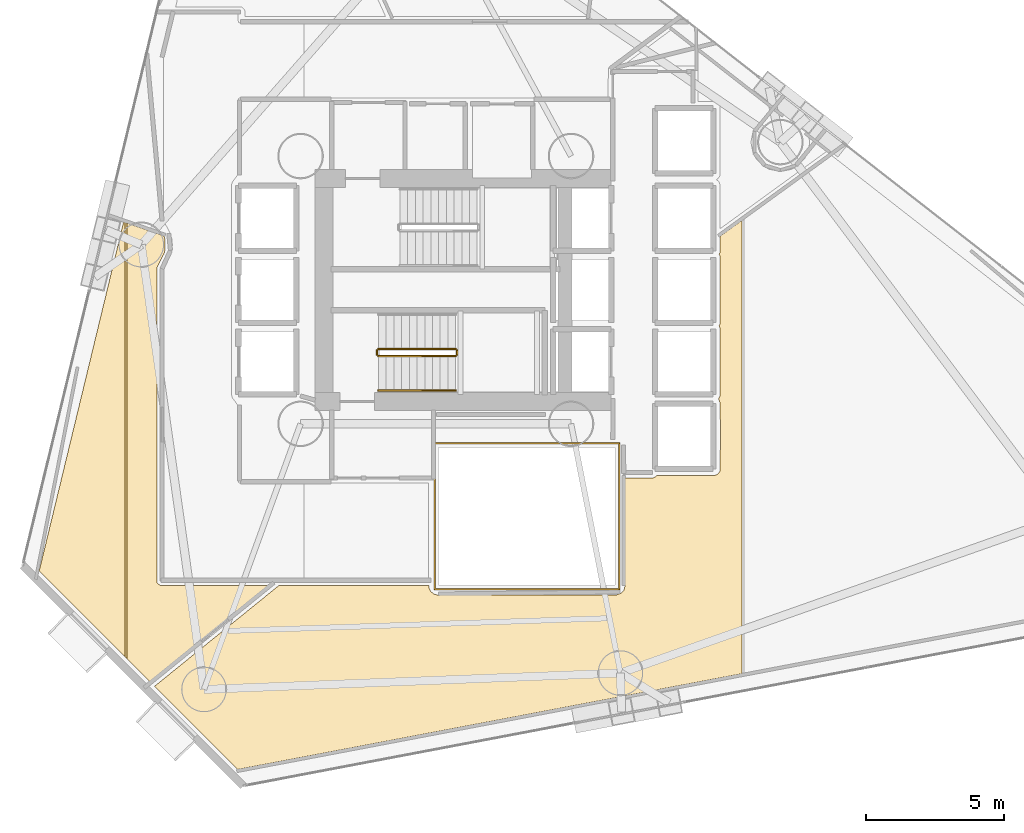
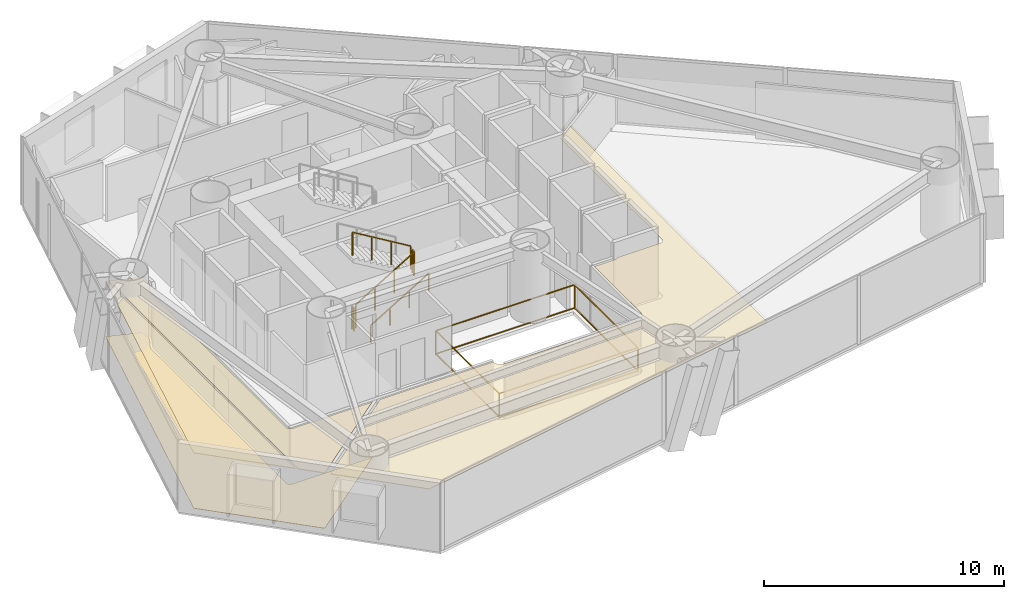
# One storey, part 20 of 23: 6 railings, 4 coverings.
"""IFC4 building model written with IfcOpenShell, lengths in metres."""

from ifc_helpers import new_model, si_unit, direction, frame, origin, origin_2d, place, context, subcontext, project, spatial, polyline, rectangle, outline, extrude, material, layer, layer_set, type_object, element, save


model = new_model("IFC4")

# Units and contexts
model_context = context("Model", 3, precision=1e-05, world=origin(), true_north=direction((0.0, 1.0)))
body_context = subcontext(model_context, "Body", "Model", "MODEL_VIEW")
ifc_project = project(units=[si_unit("LENGTHUNIT", "METRE"), si_unit("AREAUNIT", "SQUARE_METRE"), si_unit("VOLUMEUNIT", "CUBIC_METRE"), si_unit("PLANEANGLEUNIT", "RADIAN"), si_unit("MASSUNIT", "GRAM", prefix="KILO")], contexts=[model_context])

# Site, building, storey
site_placement = place(None, origin())
site = spatial("IfcSite", under=ifc_project, at=site_placement, CompositionType="ELEMENT")
building_placement = place(site_placement, origin())
building = spatial("IfcBuilding", under=site, at=building_placement, Name="Qianvela Tower", CompositionType="ELEMENT")
storey_placement = place(building_placement, frame((0.0, 0.0, 85.800048828125)))
storey = spatial("IfcBuildingStorey", under=building, at=storey_placement, Name="L21", CompositionType="ELEMENT", Elevation=85.800048828125)

# Coverings
ifc_material_1 = material(Name="Perforated Mineral Acoustic Ceiling Tile")
ifc_layer_1 = layer(ifc_material_1, 0.02490234375)
ifc_layer_set_1 = layer_set([ifc_layer_1], Name="Perforated Mineral Acoustic Ceiling Tile")
covering_type_1 = type_object("IfcCoveringType", Name="COV-CEIL-ACOUSTIC-25", PredefinedType="CEILING", material=ifc_layer_set_1)
covering_1_placement = place(storey_placement, frame((0.0, 0.0, 2.81494140625)))
element("IfcCovering", 1, at=covering_1_placement, inside=storey, type_object=covering_type_1, Name="L21 Acoustic Ceiling Bay 1 Collaborative Co-working Office L21-01", PredefinedType="CEILING", context=body_context, shape_type="SweptSolid", body=[
    extrude(outline(polyline([(22.234375, 31.147705078125), (22.234375, 15.40869140625), (19.126953125, 18.514404296875), (22.187255859375, 31.1640625), (22.234375, 31.147705078125)])), origin(), (0.0, 0.0, 1.0), 0.02490234375),
])
covering_2_placement = place(storey_placement, frame((0.0, 0.0, 2.81494140625)))
element("IfcCovering", 2, at=covering_2_placement, inside=storey, type_object=covering_type_1, Name="L21 Acoustic Ceiling Bay 2 Collaborative Co-working Office L21-01", PredefinedType="CEILING", context=body_context, shape_type="SweptSolid", body=[
    extrude(outline(polyline([(23.64990234375, 30.658447265625), (23.695068359375, 30.515869140625), (23.695068359375, 30.163818359375), (23.645751953125, 30.0009765625), (23.398681640625, 29.519287109375), (23.395751953125, 29.51220703125), (23.393310546875, 29.505126953125), (23.391357421875, 29.497802734375), (23.390380859375, 29.490234375), (23.389892578125, 29.482666015625), (23.39599609375, 18.119384765625), (23.396484375, 18.111572265625), (23.397705078125, 18.103759765625), (23.3994140625, 18.09619140625), (23.402099609375, 18.088623046875), (23.405517578125, 18.081787109375), (23.40966796875, 18.074951171875), (23.414306640625, 18.068603515625), (23.41943359375, 18.062744140625), (23.42529296875, 18.0576171875), (23.431640625, 18.052978515625), (23.505615234375, 18.00341796875), (23.51220703125, 17.99951171875), (23.519287109375, 17.99609375), (23.52685546875, 17.993408203125), (23.534423828125, 17.991455078125), (23.542236328125, 17.990478515625), (23.550048828125, 17.989990234375), (27.424560546875, 17.989990234375), (23.132568359375, 14.5107421875), (22.314208984375, 15.32861328125), (22.314208984375, 31.1201171875), (23.64990234375, 30.658447265625)])), origin(), (0.0, 0.0, 1.0), 0.02490234375),
])
covering_3_placement = place(storey_placement, frame((0.0, 0.0, 2.81494140625)))
element("IfcCovering", 3, at=covering_3_placement, inside=storey, type_object=covering_type_1, Name="L21 Acoustic Ceiling Bay 1 Quiet Desk Workspace L21-02", PredefinedType="CEILING", context=body_context, shape_type="SweptSolid", body=[
    extrude(outline(polyline([(23.30615234375, 14.33740234375), (27.81201171875, 17.989990234375), (33.24609375, 17.989990234375), (33.252197265625, 17.912353515625), (33.25341796875, 17.904296875), (33.25537109375, 17.896240234375), (33.258056640625, 17.888427734375), (33.261474609375, 17.881103515625), (33.31298828125, 17.78466796875), (33.31689453125, 17.77783203125), (33.32177734375, 17.771484375), (33.326904296875, 17.765869140625), (33.332763671875, 17.760498046875), (33.417236328125, 17.691162109375), (33.42431640625, 17.68603515625), (33.431884765625, 17.681640625), (33.440185546875, 17.677978515625), (33.448486328125, 17.675537109375), (33.58056640625, 17.642333984375), (33.5869140625, 17.64111328125), (33.593505859375, 17.640380859375), (33.60009765625, 17.639892578125), (40.0, 17.639892578125), (40.009033203125, 17.640380859375), (40.018310546875, 17.64208984375), (40.027099609375, 17.644775390625), (40.20458984375, 17.708251953125), (40.211181640625, 17.7109375), (40.217529296875, 17.71435546875), (40.2236328125, 17.71826171875), (40.2294921875, 17.72265625), (40.234619140625, 17.7275390625), (40.239501953125, 17.73291015625), (40.308837890625, 17.8173828125), (40.31396484375, 17.824462890625), (40.318359375, 17.83203125), (40.322021484375, 17.840087890625), (40.324462890625, 17.8486328125), (40.357666015625, 17.980712890625), (40.35888671875, 17.987060546875), (40.359619140625, 17.993408203125), (40.360107421875, 18.0), (40.360107421875, 21.889892578125), (41.367919921875, 21.890380859375), (41.375732421875, 21.890869140625), (41.383544921875, 21.891845703125), (41.39111328125, 21.893798828125), (41.3984375, 21.896484375), (41.405517578125, 21.89990234375), (41.45947265625, 21.9287109375), (41.46630859375, 21.932861328125), (41.472900390625, 21.9375), (41.478759765625, 21.943115234375), (41.48388671875, 21.948974609375), (41.48876953125, 21.955322265625), (41.492919921875, 21.96240234375), (41.49609375, 21.969482421875), (41.498779296875, 21.97705078125), (41.49951171875, 21.97998046875), (43.59375, 21.980712890625), (43.6015625, 21.981201171875), (43.609375, 21.982177734375), (43.616943359375, 21.984130859375), (43.624267578125, 21.98681640625), (43.699462890625, 22.017822265625), (43.70654296875, 22.021240234375), (43.71337890625, 22.025390625), (43.719482421875, 22.02978515625), (43.725341796875, 22.03515625), (43.730712890625, 22.041015625), (43.7353515625, 22.04736328125), (43.780517578125, 22.114990234375), (43.784423828125, 22.12158203125), (43.78759765625, 22.12841796875), (43.790283203125, 22.135498046875), (43.792236328125, 22.142822265625), (43.79345703125, 22.150390625), (43.7939453125, 22.157958984375), (43.81298828125, 23.321044921875), (43.81298828125, 23.3232421875), (43.800048828125, 24.600830078125), (43.79931640625, 24.609619140625), (43.7978515625, 24.618408203125), (43.79541015625, 24.626953125), (43.763427734375, 24.7158203125), (43.760498046875, 24.722900390625), (43.7568359375, 24.72998046875), (43.75244140625, 24.736572265625), (43.74755859375, 24.742431640625), (43.741943359375, 24.748046875), (43.736083984375, 24.7529296875), (43.771240234375, 24.795654296875), (43.77587890625, 24.802001953125), (43.77978515625, 24.80859375), (43.783203125, 24.815673828125), (43.785888671875, 24.822998046875), (43.787841796875, 24.83056640625), (43.788818359375, 24.83837890625), (43.789306640625, 24.84619140625), (43.800048828125, 27.2998046875), (43.799560546875, 27.3076171875), (43.798583984375, 27.315673828125), (43.79638671875, 27.323486328125), (43.793701171875, 27.3310546875), (43.7646484375, 27.39990234375), (43.793701171875, 27.468994140625), (43.79638671875, 27.476318359375), (43.79833984375, 27.484130859375), (43.799560546875, 27.491943359375), (43.800048828125, 27.5), (43.800048828125, 29.89990234375), (43.799560546875, 29.907958984375), (43.79833984375, 29.915771484375), (43.79638671875, 29.923583984375), (43.793701171875, 29.93115234375), (43.765625, 29.997802734375), (43.79150390625, 30.051513671875), (43.794189453125, 30.05810546875), (43.79638671875, 30.06494140625), (43.798095703125, 30.072021484375), (43.799072265625, 30.0791015625), (43.79931640625, 30.086181640625), (43.800048828125, 30.643798828125), (44.594482421875, 31.220458984375), (44.594482421875, 14.79638671875), (26.319091796875, 11.32568359375), (23.30615234375, 14.33740234375)])), origin(), (0.0, 0.0, 1.0), 0.02490234375),
])
ifc_material_2 = material(Name="Engineered Acoustic Oak Timber Flooring", Category="wood")
ifc_layer_2 = layer(ifc_material_2, 0.02001953125)
ifc_layer_set_2 = layer_set([ifc_layer_2], Name="Engineered Acoustic Oak Timber Flooring")
covering_type_2 = type_object("IfcCoveringType", Name="COV-FLOOR-OAK-20", PredefinedType="FLOORING", material=ifc_layer_set_2)
covering_4_placement = place(storey_placement, origin())
element("IfcCovering", 4, at=covering_4_placement, inside=storey, type_object=covering_type_2, Name="L21 Finish Flooring Collaborative Co-working Office L21-01", PredefinedType="FLOORING", context=body_context, shape_type="SweptSolid", body=[
    extrude(outline(polyline([(22.187255859375, 31.1640625), (23.64990234375, 30.658447265625), (23.695068359375, 30.515869140625), (23.695068359375, 30.163818359375), (23.645751953125, 30.0009765625), (23.398681640625, 29.519287109375), (23.395751953125, 29.51220703125), (23.393310546875, 29.505126953125), (23.391357421875, 29.497802734375), (23.390380859375, 29.490234375), (23.389892578125, 29.482666015625), (23.39599609375, 18.119384765625), (23.396484375, 18.111572265625), (23.397705078125, 18.103759765625), (23.3994140625, 18.09619140625), (23.402099609375, 18.088623046875), (23.405517578125, 18.081787109375), (23.40966796875, 18.074951171875), (23.414306640625, 18.068603515625), (23.41943359375, 18.062744140625), (23.42529296875, 18.0576171875), (23.431640625, 18.052978515625), (23.505615234375, 18.00341796875), (23.51220703125, 17.99951171875), (23.519287109375, 17.99609375), (23.52685546875, 17.993408203125), (23.534423828125, 17.991455078125), (23.542236328125, 17.990478515625), (23.550048828125, 17.989990234375), (27.424560546875, 17.989990234375), (23.132568359375, 14.5107421875), (19.126953125, 18.514404296875), (22.187255859375, 31.1640625)])), origin(), (0.0, 0.0, 1.0), 0.02001953125),
])

# Railings
ifc_material_3 = material(Name="Laminated Safety Glass and Stainless Steel 316", Category="steel")
railing_type_1 = type_object("IfcRailingType", Name="RL-ATRIUM-GUARD-1250", PredefinedType="GUARDRAIL", material=ifc_material_3)
railing_1_placement = place(storey_placement, frame((33.4599609375, 17.860107421875, 0.0)))
element("IfcRailing", 5, at=railing_1_placement, inside=storey, type_object=railing_type_1, Name="L21 Atrium Edge Guardrail 1", PredefinedType="GUARDRAIL", context=body_context, shape_type="SweptSolid", body=[
    extrude(rectangle(XDim=0.050048828125, YDim=0.0400390625, at=origin_2d()), frame((0.0, 0.0, 1.22998046875), z_axis=(0.0, 1.0, 0.0), x_axis=(-1.0, 0.0, 0.0)), (0.0, 0.0, 1.0), 5.27978515625),
    extrude(rectangle(XDim=0.050048828125, YDim=0.0400390625, at=origin_2d()), frame((0.0, 0.0, 0.050048828125), z_axis=(0.0, 1.0, 0.0), x_axis=(-1.0, 0.0, 0.0)), (0.0, 0.0, 1.0), 5.27978515625),
    extrude(rectangle(XDim=0.050048828125, YDim=0.0400390625, at=origin_2d()), frame((0.0, 5.27978515625, 1.22998046875), z_axis=(1.0, 0.0, 0.0), x_axis=(0.0, 1.0, 0.0)), (0.0, 0.0, 1.0), 6.679931640625),
    extrude(rectangle(XDim=0.050048828125, YDim=0.0400390625, at=origin_2d()), frame((0.0, 5.27978515625, 0.050048828125), z_axis=(1.0, 0.0, 0.0), x_axis=(0.0, 1.0, 0.0)), (0.0, 0.0, 1.0), 6.679931640625),
    extrude(rectangle(XDim=0.050048828125, YDim=0.0400390625, at=origin_2d()), frame((6.679931640625, 5.27978515625, 1.22998046875), z_axis=(0.0, -1.0, 0.0), x_axis=(1.0, 0.0, 0.0)), (0.0, 0.0, 1.0), 5.27978515625),
    extrude(rectangle(XDim=0.050048828125, YDim=0.0400390625, at=origin_2d()), frame((6.679931640625, 5.27978515625, 0.050048828125), z_axis=(0.0, -1.0, 0.0), x_axis=(1.0, 0.0, 0.0)), (0.0, 0.0, 1.0), 5.27978515625),
    extrude(rectangle(XDim=0.050048828125, YDim=0.0400390625, at=origin_2d()), frame((6.679931640625, 0.0, 1.22998046875), z_axis=(-1.0, 0.0, 0.0), x_axis=(0.0, -1.0, 0.0)), (0.0, 0.0, 1.0), 6.679931640625),
    extrude(rectangle(XDim=0.050048828125, YDim=0.0400390625, at=origin_2d()), frame((6.679931640625, 0.0, 0.050048828125), z_axis=(-1.0, 0.0, 0.0), x_axis=(0.0, -1.0, 0.0)), (0.0, 0.0, 1.0), 6.679931640625),
    extrude(rectangle(XDim=0.050048828125, YDim=0.050048828125, at=origin_2d()), origin(), (0.0, 0.0, 1.0), 1.2099609375),
    extrude(rectangle(XDim=0.050048828125, YDim=0.050048828125, at=origin_2d()), frame((0.0, 5.27978515625, 0.0)), (0.0, 0.0, 1.0), 1.2099609375),
    extrude(rectangle(XDim=0.050048828125, YDim=0.050048828125, at=origin_2d()), frame((6.679931640625, 5.27978515625, 0.0)), (0.0, 0.0, 1.0), 1.2099609375),
    extrude(rectangle(XDim=0.050048828125, YDim=0.050048828125, at=origin_2d()), frame((6.679931640625, 0.0, 0.0)), (0.0, 0.0, 1.0), 1.2099609375),
])
ifc_material_4 = material(Name="Painted Tubular Steel Q355B", Category="steel")
railing_type_2 = type_object("IfcRailingType", Name="RL-STAIR-GUARD-1200", PredefinedType="GUARDRAIL", material=ifc_material_4)
railing_2_placement = place(storey_placement, frame((31.419921875, 26.300048828125, 0.168212890625)))
element("IfcRailing", 6, at=railing_2_placement, inside=storey, type_object=railing_type_2, Name="L21 ST-2 stair guard 1", PredefinedType="GUARDRAIL", context=body_context, shape_type="SweptSolid", body=[
    extrude(rectangle(XDim=0.050048828125, YDim=0.0400390625, at=origin_2d()), frame((0.0, 0.0, 1.179931640625), z_axis=(0.857275202839, 0.0, 0.514858452973), x_axis=(0.0, 1.0, 0.0)), (0.0, 0.0, 1.0), 3.26611328125),
    extrude(rectangle(XDim=0.050048828125, YDim=0.050048828125, at=origin_2d()), origin(), (0.0, 0.0, 1.0), 1.159912109375),
    extrude(rectangle(XDim=0.050048828125, YDim=0.050048828125, at=origin_2d()), frame((0.933349609375, 0.0, 0.560546875)), (0.0, 0.0, 1.0), 1.159912109375),
    extrude(rectangle(XDim=0.050048828125, YDim=0.050048828125, at=origin_2d()), frame((1.86669921875, 0.0, 1.12109375)), (0.0, 0.0, 1.0), 1.159912109375),
    extrude(rectangle(XDim=0.050048828125, YDim=0.050048828125, at=origin_2d()), frame((2.800048828125, 0.0, 1.681640625)), (0.0, 0.0, 1.0), 1.159912109375),
])
railing_3_placement = place(storey_placement, frame((34.27001953125, 26.35009765625, 1.849853515625)))
element("IfcRailing", 7, at=railing_3_placement, inside=storey, type_object=railing_type_2, Name="L21 ST-2 stair guard 2", PredefinedType="GUARDRAIL", context=body_context, shape_type="SweptSolid", body=[
    extrude(rectangle(XDim=0.050048828125, YDim=0.0400390625, at=origin_2d()), frame((0.0, 0.0, 1.179931640625), z_axis=(0.0, 1.0, 0.0), x_axis=(-1.0, 0.0, 0.0)), (0.0, 0.0, 1.0), 0.159912109375),
    extrude(rectangle(XDim=0.050048828125, YDim=0.050048828125, at=origin_2d()), origin(), (0.0, 0.0, 1.0), 1.159912109375),
    extrude(rectangle(XDim=0.050048828125, YDim=0.050048828125, at=origin_2d()), frame((0.0, 0.159912109375, 0.0)), (0.0, 0.0, 1.0), 1.159912109375),
])
railing_4_placement = place(storey_placement, frame((34.219970703125, 26.56005859375, 2.01806640625)))
element("IfcRailing", 8, at=railing_4_placement, inside=storey, type_object=railing_type_2, Name="L21 ST-2 stair guard 3", PredefinedType="GUARDRAIL", context=body_context, shape_type="SweptSolid", body=[
    extrude(rectangle(XDim=0.050048828125, YDim=0.0400390625, at=origin_2d()), frame((0.0, 0.0, 1.179931640625), z_axis=(-0.857242210791, 0.0, 0.514913383045), x_axis=(0.0, -1.0, 0.0)), (0.0, 0.0, 1.0), 3.266357421875),
    extrude(rectangle(XDim=0.050048828125, YDim=0.050048828125, at=origin_2d()), origin(), (0.0, 0.0, 1.0), 1.159912109375),
    extrude(rectangle(XDim=0.050048828125, YDim=0.050048828125, at=origin_2d()), frame((-0.933349609375, 0.0, 0.560546875)), (0.0, 0.0, 1.0), 1.159912109375),
    extrude(rectangle(XDim=0.050048828125, YDim=0.050048828125, at=origin_2d()), frame((-1.86669921875, 0.0, 1.121337890625)), (0.0, 0.0, 1.0), 1.159912109375),
    extrude(rectangle(XDim=0.050048828125, YDim=0.050048828125, at=origin_2d()), frame((-2.800048828125, 0.0, 1.681884765625)), (0.0, 0.0, 1.0), 1.159912109375),
])
railing_5_placement = place(storey_placement, frame((31.3701171875, 26.35009765625, 0.0)))
element("IfcRailing", 9, at=railing_5_placement, inside=storey, type_object=railing_type_2, Name="L21 ST-2 stair guard 4", PredefinedType="GUARDRAIL", context=body_context, shape_type="SweptSolid", body=[
    extrude(rectangle(XDim=0.050048828125, YDim=0.0400390625, at=origin_2d()), frame((0.0, 0.0, 1.179931640625), z_axis=(0.0, 1.0, 0.0), x_axis=(-1.0, 0.0, 0.0)), (0.0, 0.0, 1.0), 0.159912109375),
    extrude(rectangle(XDim=0.050048828125, YDim=0.050048828125, at=origin_2d()), origin(), (0.0, 0.0, 1.0), 1.159912109375),
    extrude(rectangle(XDim=0.050048828125, YDim=0.050048828125, at=origin_2d()), frame((0.0, 0.159912109375, 0.0)), (0.0, 0.0, 1.0), 1.159912109375),
])
ifc_material_5 = material(Name="Brushed Stainless Steel 304", Category="steel")
railing_type_3 = type_object("IfcRailingType", Name="RL-STAIR-HANDRAIL-900", PredefinedType="HANDRAIL", material=ifc_material_5)
railing_6_placement = place(storey_placement, frame((31.419921875, 25.050048828125, 0.168212890625)))
element("IfcRailing", 10, at=railing_6_placement, inside=storey, type_object=railing_type_3, Name="L21 ST-2 stair handrail 1", PredefinedType="HANDRAIL", context=body_context, shape_type="SweptSolid", body=[
    extrude(rectangle(XDim=0.050048828125, YDim=0.0400390625, at=origin_2d()), frame((0.0, 0.0, 0.8798828125), z_axis=(0.857275202839, 0.0, 0.514858452973), x_axis=(0.0, 1.0, 0.0)), (0.0, 0.0, 1.0), 3.26611328125),
    extrude(rectangle(XDim=0.050048828125, YDim=0.050048828125, at=origin_2d()), origin(), (0.0, 0.0, 1.0), 0.85986328125),
    extrude(rectangle(XDim=0.050048828125, YDim=0.050048828125, at=origin_2d()), frame((0.933349609375, 0.0, 0.560546875)), (0.0, 0.0, 1.0), 0.85986328125),
    extrude(rectangle(XDim=0.050048828125, YDim=0.050048828125, at=origin_2d()), frame((1.86669921875, 0.0, 1.12109375)), (0.0, 0.0, 1.0), 0.85986328125),
    extrude(rectangle(XDim=0.050048828125, YDim=0.050048828125, at=origin_2d()), frame((2.800048828125, 0.0, 1.681640625)), (0.0, 0.0, 1.0), 0.85986328125),
])

save(model, "model.ifc")
